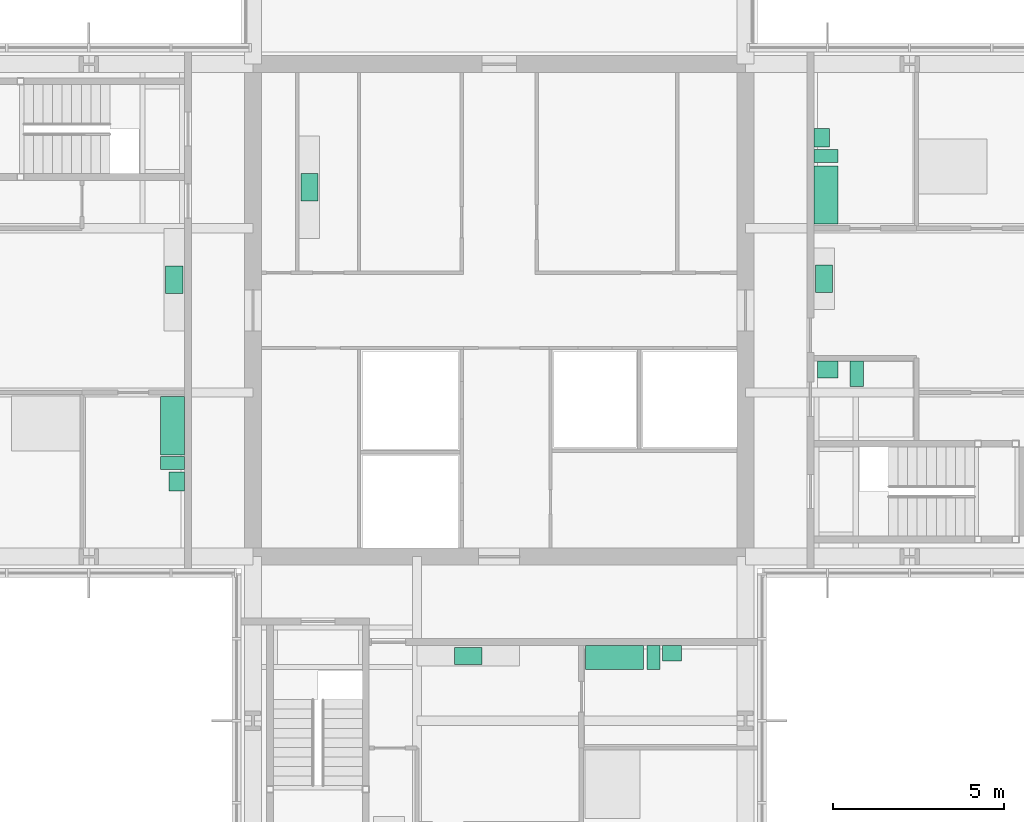
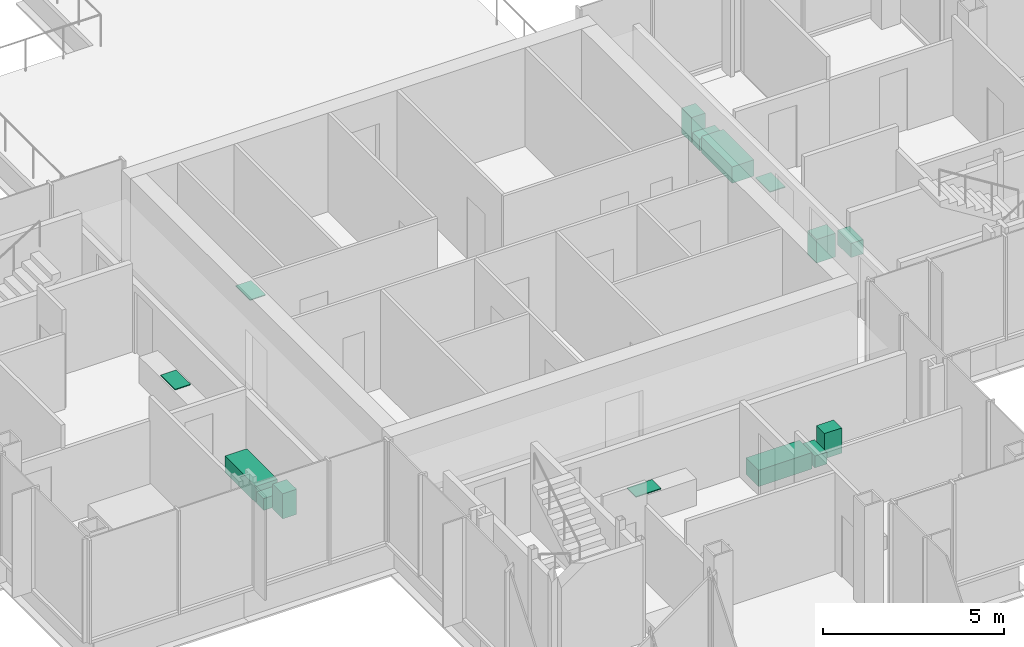
# One storey, part 13 of 14: 15 sanitary terminals.
"""IFC4 building model written with IfcOpenShell, lengths in metres."""

from ifc_helpers import new_model, si_unit, direction, frame, origin, origin_2d, place, context, subcontext, project, spatial, rectangle, extrude, material, type_object, element, save


model = new_model("IFC4")

# Units and contexts
model_context = context("Model", 3, precision=1e-05, world=origin(), true_north=direction((0.0, 1.0)))
body_context = subcontext(model_context, "Body", "Model", "MODEL_VIEW")
ifc_project = project(units=[si_unit("LENGTHUNIT", "METRE"), si_unit("AREAUNIT", "SQUARE_METRE"), si_unit("VOLUMEUNIT", "CUBIC_METRE"), si_unit("PLANEANGLEUNIT", "RADIAN"), si_unit("MASSUNIT", "GRAM", prefix="KILO")], contexts=[model_context])

# Site, building, storey
site_placement = place(None, origin())
site = spatial("IfcSite", under=ifc_project, at=site_placement, CompositionType="ELEMENT")
building_placement = place(site_placement, origin())
building = spatial("IfcBuilding", under=site, at=building_placement, Name="Kvirike Care Tower", CompositionType="ELEMENT")
storey_placement = place(building_placement, frame((0.0, 0.0, 194.5)))
storey = spatial("IfcBuildingStorey", under=building, at=storey_placement, Name="L53", CompositionType="ELEMENT", Elevation=194.5)

# Sanitary terminals
ifc_material_1 = material(Name="Vitreous china", Category="ceramic")
sanitary_terminal_type_1 = type_object("IfcSanitaryTerminalType", Name="ACCESSIBLE WASH BASIN 600 x 500", PredefinedType="WASHHANDBASIN", material=ifc_material_1)
sanitary_terminal_1_placement = place(storey_placement, frame((31.199951171875, 34.27294921875, 0.02001953125), z_axis=(0.0, 0.0, 1.0), x_axis=(1.0, 0.0, 0.0)))
element("IfcSanitaryTerminal", 1, at=sanitary_terminal_1_placement, inside=storey, type_object=sanitary_terminal_type_1, Name="Accessible wash basin L53-020", PredefinedType="WASHHANDBASIN", context=body_context, shape_type="SweptSolid", body=[
    extrude(rectangle(XDim=0.60009765625, YDim=0.5, at=origin_2d()), origin(), (0.0, 0.0, 1.0), 0.800048828125),
])
ifc_material_2 = material(Name="Vitreous china", Category="ceramic")
sanitary_terminal_type_2 = type_object("IfcSanitaryTerminalType", Name="ACCESSIBLE WC PAN 400 x 750", PredefinedType="TOILETPAN", material=ifc_material_2)
sanitary_terminal_2_placement = place(storey_placement, frame((32.050048828125, 34.14794921875, 0.02001953125), z_axis=(0.0, 0.0, 1.0), x_axis=(1.0, 0.0, 0.0)))
element("IfcSanitaryTerminal", 2, at=sanitary_terminal_2_placement, inside=storey, type_object=sanitary_terminal_type_2, Name="Accessible WC pan L53-020", PredefinedType="TOILETPAN", context=body_context, shape_type="SweptSolid", body=[
    extrude(rectangle(XDim=0.39990234375, YDim=0.75, at=origin_2d()), origin(), (0.0, 0.0, 1.0), 0.47998046875),
])
ifc_material_3 = material(Name="Enamelled steel", Category="steel")
sanitary_terminal_type_3 = type_object("IfcSanitaryTerminalType", Name="BATH 1700 x 700", PredefinedType="BATH", material=ifc_material_3)
for number, where, z_axis, x_axis, name in (
    (3, (12.048095703125, 32.625, 0.02001953125), (0.0, 0.0, 1.0), (0.0, -1.0, 0.0), "Bath L53-006"),
    (4, (24.97509765625, 25.847900390625, 0.02001953125), (0.0, 0.0, 1.0), (1.0, 0.0, 0.0), "Bath L53-013"),
    (5, (31.152099609375, 39.375, 0.02001953125), (0.0, 0.0, 1.0), (0.0, 1.0, 0.0), "Bath L53-021"),
):
    element("IfcSanitaryTerminal", number, at=place(storey_placement, frame(where, z_axis=z_axis, x_axis=x_axis)), inside=storey, type_object=sanitary_terminal_type_3, Name=name, PredefinedType="BATH", context=body_context, shape_type="SweptSolid", body=[
        extrude(rectangle(XDim=1.699951171875, YDim=0.699951171875, at=origin_2d()), origin(), (0.0, 0.0, 1.0), 0.550048828125),
    ])
ifc_material_4 = material(Name="Stainless steel", Category="steel")
sanitary_terminal_type_4 = type_object("IfcSanitaryTerminalType", Name="KITCHEN SINK 800 x 500", PredefinedType="SINK", material=ifc_material_4)
for number, where, z_axis, x_axis, name in (
    (6, (12.097900390625, 36.89990234375, 0.89990234375), (0.0, 0.0, 1.0), (0.0, -1.0, 0.0), "Kitchen sink L53-007"),
    (7, (20.699951171875, 25.89794921875, 0.89990234375), (0.0, 0.0, 1.0), (1.0, 0.0, 0.0), "Kitchen sink L53-014"),
    (8, (31.10205078125, 36.925048828125, 0.89990234375), (0.0, 0.0, 1.0), (0.0, 1.0, 0.0), "Kitchen sink L53-022"),
    (9, (16.052001953125, 39.60009765625, 0.89990234375), (0.0, 0.0, 1.0), (0.0, 1.0, 0.0), "Kitchen sink L53-029"),
):
    element("IfcSanitaryTerminal", number, at=place(storey_placement, frame(where, z_axis=z_axis, x_axis=x_axis)), inside=storey, type_object=sanitary_terminal_type_4, Name=name, PredefinedType="SINK", context=body_context, shape_type="SweptSolid", body=[
        extrude(rectangle(XDim=0.800048828125, YDim=0.5, at=origin_2d()), origin(), (0.0, 0.0, 1.0), 0.030029296875),
    ])
ifc_material_5 = material(Name="Vitreous china", Category="ceramic")
sanitary_terminal_type_5 = type_object("IfcSanitaryTerminalType", Name="WASH BASIN 550 x 450", PredefinedType="WASHHANDBASIN", material=ifc_material_5)
for number, where, z_axis, x_axis, name in (
    (10, (12.173095703125, 31.0, 0.02001953125), (0.0, 0.0, 1.0), (0.0, -1.0, 0.0), "Wash basin L53-006"),
    (11, (26.64990234375, 25.972900390625, 0.02001953125), (0.0, 0.0, 1.0), (1.0, 0.0, 0.0), "Wash basin L53-013"),
    (12, (31.027099609375, 41.050048828125, 0.02001953125), (0.0, 0.0, 1.0), (0.0, 1.0, 0.0), "Wash basin L53-021"),
):
    element("IfcSanitaryTerminal", number, at=place(storey_placement, frame(where, z_axis=z_axis, x_axis=x_axis)), inside=storey, type_object=sanitary_terminal_type_5, Name=name, PredefinedType="WASHHANDBASIN", context=body_context, shape_type="SweptSolid", body=[
        extrude(rectangle(XDim=0.550048828125, YDim=0.449951171875, at=origin_2d()), origin(), (0.0, 0.0, 1.0), 0.85009765625),
    ])
ifc_material_6 = material(Name="Vitreous china", Category="ceramic")
sanitary_terminal_type_6 = type_object("IfcSanitaryTerminalType", Name="WC PAN 380 x 700", PredefinedType="TOILETPAN", material=ifc_material_6)
for number, where, z_axis, x_axis, name in (
    (13, (12.048095703125, 31.534912109375, 0.02001953125), (0.0, 0.0, 1.0), (0.0, -1.0, 0.0), "WC pan L53-006"),
    (14, (26.114990234375, 25.847900390625, 0.02001953125), (0.0, 0.0, 1.0), (1.0, 0.0, 0.0), "WC pan L53-013"),
    (15, (31.152099609375, 40.514892578125, 0.02001953125), (0.0, 0.0, 1.0), (0.0, 1.0, 0.0), "WC pan L53-021"),
):
    element("IfcSanitaryTerminal", number, at=place(storey_placement, frame(where, z_axis=z_axis, x_axis=x_axis)), inside=storey, type_object=sanitary_terminal_type_6, Name=name, PredefinedType="TOILETPAN", context=body_context, shape_type="SweptSolid", body=[
        extrude(rectangle(XDim=0.3798828125, YDim=0.699951171875, at=origin_2d()), origin(), (0.0, 0.0, 1.0), 0.39990234375),
    ])

save(model, "model.ifc")
